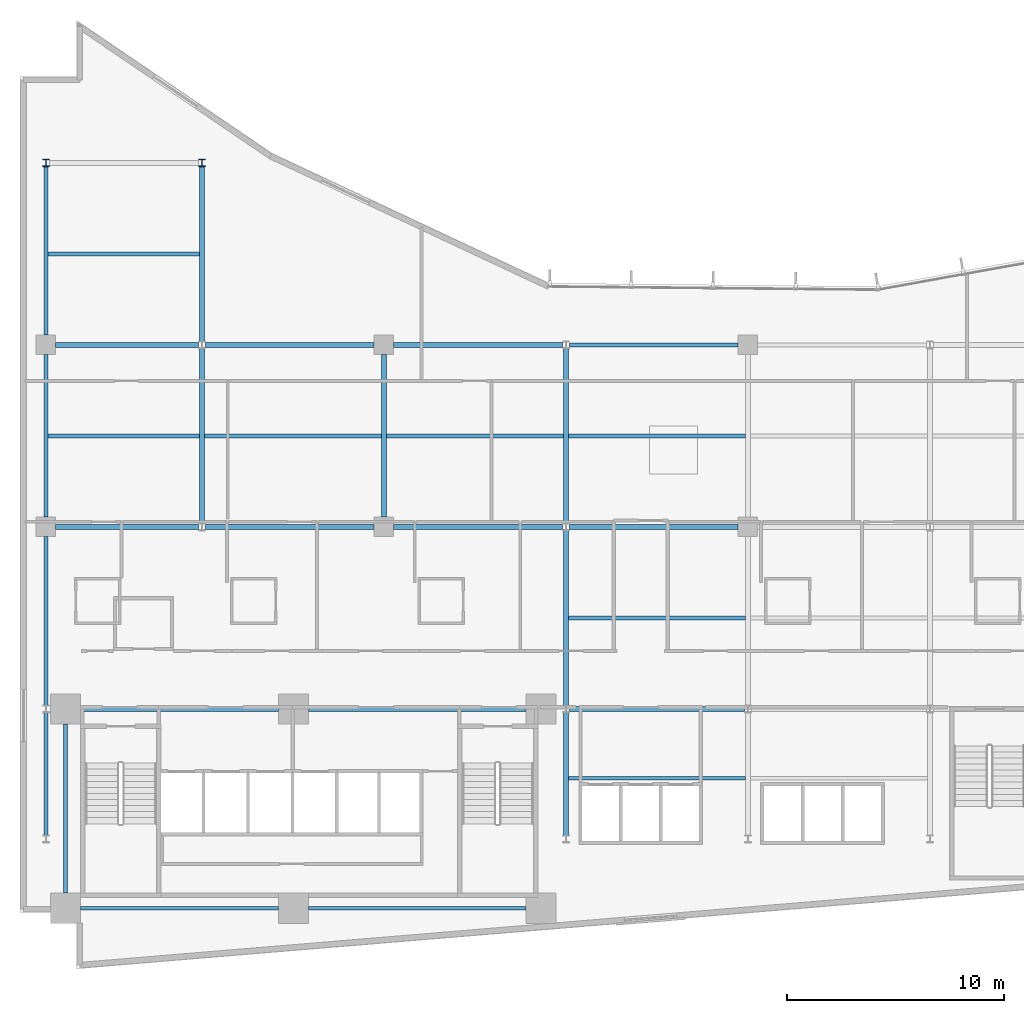
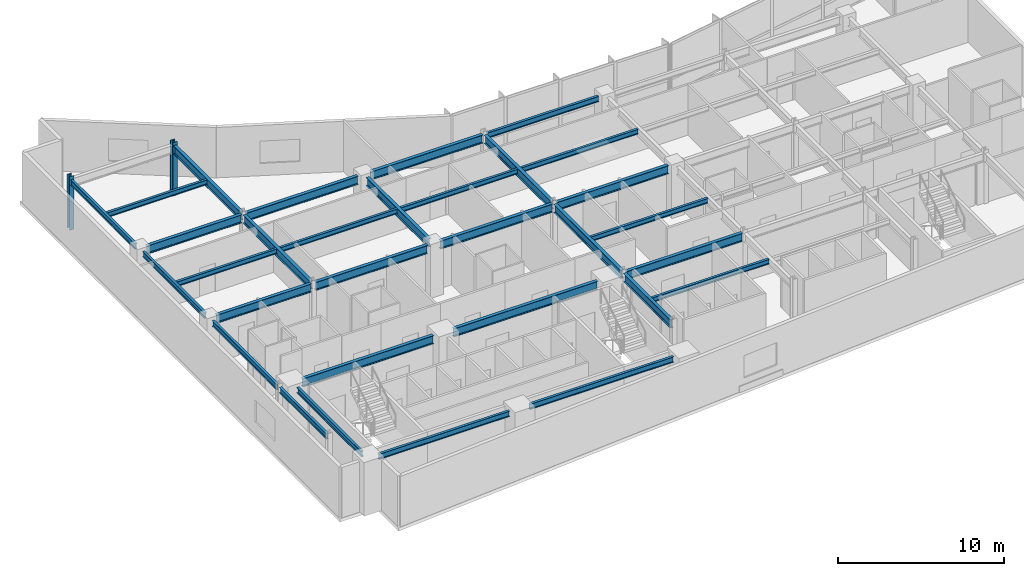
# One storey, part 3 of 19: 31 beams, 2 columns.
"""IFC4 building model written with IfcOpenShell, lengths in metres."""

from ifc_helpers import new_model, si_unit, direction, frame, origin, origin_2d, place, context, subcontext, project, spatial, i_section, extrude, material, material_profile, profile_set, type_object, element, save


model = new_model("IFC4")

# Units and contexts
model_context = context("Model", 3, precision=1e-05, world=origin(), true_north=direction((0.0, 1.0)))
body_context = subcontext(model_context, "Body", "Model", "MODEL_VIEW")
ifc_project = project(units=[si_unit("LENGTHUNIT", "METRE"), si_unit("AREAUNIT", "SQUARE_METRE"), si_unit("VOLUMEUNIT", "CUBIC_METRE"), si_unit("PLANEANGLEUNIT", "RADIAN"), si_unit("MASSUNIT", "GRAM", prefix="KILO")], contexts=[model_context])

# Site, building, storey
site_placement = place(None, origin())
site = spatial("IfcSite", under=ifc_project, at=site_placement, CompositionType="ELEMENT")
building_placement = place(site_placement, origin())
building = spatial("IfcBuilding", under=site, at=building_placement, Name="Varnakote Quay Hospital", CompositionType="ELEMENT")
storey_placement = place(building_placement, frame((0.0, 0.0, 89.64990234375)))
storey = spatial("IfcBuildingStorey", under=building, at=storey_placement, Name="L22", CompositionType="ELEMENT", Elevation=89.64990234375)

# Columns
ifc_material_1 = material(Name="Structural steel AS/NZS 3679.1 Grade 350 L0 (fy 340 MPa)", Category="steel")
ifc_material_profile_1 = material_profile(ifc_material_1, i_section(OverallWidth=0.31103515625, OverallDepth=0.326904296875, WebThickness=0.015625, FlangeThickness=0.02490234375, FilletRadius=0.0166015625, at=origin_2d()), Name="310UC158")
ifc_profile_set_1 = profile_set([ifc_material_profile_1], Name="Structural steel AS/NZS 3679.1 Grade 350 L0 (fy 340 MPa)")
column_type = type_object("IfcColumnType", Name="COL-STL-310UC158", PredefinedType="COLUMN", material=ifc_profile_set_1)
for number, where, z_axis, x_axis, name in (
    (1, (1.199951171875, 37.199951171875, 0.0), (0.0, 0.0, 1.0), (1.0, 0.0, 0.0), "L22 Structural Column C-1-37"),
    (2, (8.39990234375, 37.199951171875, 0.0), (0.0, 0.0, 1.0), (1.0, 0.0, 0.0), "L22 Structural Column C-8-37"),
):
    element("IfcColumn", number, at=place(storey_placement, frame(where, z_axis=z_axis, x_axis=x_axis)), inside=storey, type_object=column_type, Name=name, PredefinedType="COLUMN", context=body_context, shape_type="SweptSolid", body=[
        extrude(i_section(OverallWidth=0.31103515625, OverallDepth=0.326904296875, WebThickness=0.015625, FlangeThickness=0.02490234375, FilletRadius=0.0166015625, at=origin_2d()), origin(), (0.0, 0.0, 1.0), 3.9501953125),
    ])

# Beams
ifc_material_2 = material(Name="Structural steel AS/NZS 3679.1 Grade 350 L0 (fy 340 MPa)", Category="steel")
ifc_material_profile_2 = material_profile(ifc_material_2, i_section(OverallWidth=0.22900390625, OverallDepth=0.612060546875, WebThickness=0.011962890625, FlangeThickness=0.01953125, FilletRadius=0.013916015625, at=origin_2d()), Name="610UB125")
ifc_profile_set_2 = profile_set([ifc_material_profile_2], Name="Structural steel AS/NZS 3679.1 Grade 350 L0 (fy 340 MPa)")
beam_type_1 = type_object("IfcBeamType", Name="BM-STL-610UB125", PredefinedType="BEAM", material=ifc_profile_set_2)
beam_1_placement = place(storey_placement, frame((2.800048828125, 12.0, 3.404052734375), z_axis=(1.0, 0.0, 0.0), x_axis=(0.0, 1.0, 0.0)))
element("IfcBeam", 3, at=beam_1_placement, inside=storey, type_object=beam_type_1, Name="L22 Primary Floor Beam", PredefinedType="BEAM", context=body_context, shape_type="SweptSolid", body=[
    extrude(i_section(OverallWidth=0.22900390625, OverallDepth=0.612060546875, WebThickness=0.011962890625, FlangeThickness=0.01953125, FilletRadius=0.013916015625, at=origin_2d()), origin(), (0.0, 0.0, 1.0), 9.119873046875),
])
beam_2_placement = place(storey_placement, frame((13.320068359375, 12.0, 3.404052734375), z_axis=(1.0, 0.0, 0.0), x_axis=(0.0, 1.0, 0.0)))
element("IfcBeam", 4, at=beam_2_placement, inside=storey, type_object=beam_type_1, Name="L22 Primary Floor Beam", PredefinedType="BEAM", context=body_context, shape_type="SweptSolid", body=[
    extrude(i_section(OverallWidth=0.22900390625, OverallDepth=0.612060546875, WebThickness=0.011962890625, FlangeThickness=0.01953125, FilletRadius=0.013916015625, at=origin_2d()), origin(), (0.0, 0.0, 1.0), 10.030029296875),
])
beam_3_placement = place(storey_placement, frame((25.35546875, 12.0, 3.404052734375), z_axis=(1.0, 0.0, 0.0), x_axis=(0.0, 1.0, 0.0)))
element("IfcBeam", 5, at=beam_3_placement, inside=storey, type_object=beam_type_1, Name="L22 Primary Floor Beam", PredefinedType="BEAM", context=body_context, shape_type="SweptSolid", body=[
    extrude(i_section(OverallWidth=0.22900390625, OverallDepth=0.612060546875, WebThickness=0.011962890625, FlangeThickness=0.01953125, FilletRadius=0.013916015625, at=origin_2d()), origin(), (0.0, 0.0, 1.0), 8.089111328125),
])
beam_4_placement = place(storey_placement, frame((1.64990234375, 20.39990234375, 3.404052734375), z_axis=(1.0, 0.0, 0.0), x_axis=(0.0, 1.0, 0.0)))
element("IfcBeam", 6, at=beam_4_placement, inside=storey, type_object=beam_type_1, Name="L22 Primary Floor Beam", PredefinedType="BEAM", context=body_context, shape_type="SweptSolid", body=[
    extrude(i_section(OverallWidth=0.22900390625, OverallDepth=0.612060546875, WebThickness=0.011962890625, FlangeThickness=0.01953125, FilletRadius=0.013916015625, at=origin_2d()), origin(), (0.0, 0.0, 1.0), 6.594482421875),
])
beam_5_placement = place(storey_placement, frame((8.555419921875, 20.39990234375, 3.404052734375), z_axis=(1.0, 0.0, 0.0), x_axis=(0.0, 1.0, 0.0)))
element("IfcBeam", 7, at=beam_5_placement, inside=storey, type_object=beam_type_1, Name="L22 Primary Floor Beam", PredefinedType="BEAM", context=body_context, shape_type="SweptSolid", body=[
    extrude(i_section(OverallWidth=0.22900390625, OverallDepth=0.612060546875, WebThickness=0.011962890625, FlangeThickness=0.01953125, FilletRadius=0.013916015625, at=origin_2d()), origin(), (0.0, 0.0, 1.0), 7.794677734375),
])
for number, where, z_axis, x_axis, name in (
    (8, (17.25, 20.39990234375, 3.404052734375), (1.0, 0.0, 0.0), (0.0, 1.0, 0.0), "L22 Primary Floor Beam"),
    (9, (25.35546875, 20.39990234375, 3.404052734375), (1.0, 0.0, 0.0), (0.0, 1.0, 0.0), "L22 Primary Floor Beam"),
):
    element("IfcBeam", number, at=place(storey_placement, frame(where, z_axis=z_axis, x_axis=x_axis)), inside=storey, type_object=beam_type_1, Name=name, PredefinedType="BEAM", context=body_context, shape_type="SweptSolid", body=[
        extrude(i_section(OverallWidth=0.22900390625, OverallDepth=0.612060546875, WebThickness=0.011962890625, FlangeThickness=0.01953125, FilletRadius=0.013916015625, at=origin_2d()), origin(), (0.0, 0.0, 1.0), 7.79443359375),
    ])
beam_6_placement = place(storey_placement, frame((1.64990234375, 28.800048828125, 3.404052734375), z_axis=(1.0, 0.0, 0.0), x_axis=(0.0, 1.0, 0.0)))
element("IfcBeam", 10, at=beam_6_placement, inside=storey, type_object=beam_type_1, Name="L22 Primary Floor Beam", PredefinedType="BEAM", context=body_context, shape_type="SweptSolid", body=[
    extrude(i_section(OverallWidth=0.22900390625, OverallDepth=0.612060546875, WebThickness=0.011962890625, FlangeThickness=0.01953125, FilletRadius=0.013916015625, at=origin_2d()), origin(), (0.0, 0.0, 1.0), 6.594482421875),
])
beam_7_placement = place(storey_placement, frame((8.555419921875, 28.800048828125, 3.404052734375), z_axis=(1.0, 0.0, 0.0), x_axis=(0.0, 1.0, 0.0)))
element("IfcBeam", 11, at=beam_7_placement, inside=storey, type_object=beam_type_1, Name="L22 Primary Floor Beam", PredefinedType="BEAM", context=body_context, shape_type="SweptSolid", body=[
    extrude(i_section(OverallWidth=0.22900390625, OverallDepth=0.612060546875, WebThickness=0.011962890625, FlangeThickness=0.01953125, FilletRadius=0.013916015625, at=origin_2d()), origin(), (0.0, 0.0, 1.0), 7.794677734375),
])
beam_8_placement = place(storey_placement, frame((17.25, 28.800048828125, 3.404052734375), z_axis=(1.0, 0.0, 0.0), x_axis=(0.0, 1.0, 0.0)))
element("IfcBeam", 12, at=beam_8_placement, inside=storey, type_object=beam_type_1, Name="L22 Primary Floor Beam", PredefinedType="BEAM", context=body_context, shape_type="SweptSolid", body=[
    extrude(i_section(OverallWidth=0.22900390625, OverallDepth=0.612060546875, WebThickness=0.011962890625, FlangeThickness=0.01953125, FilletRadius=0.013916015625, at=origin_2d()), origin(), (0.0, 0.0, 1.0), 7.79443359375),
])
beam_9_placement = place(storey_placement, frame((8.39990234375, 20.5634765625, 3.404052734375), z_axis=(0.0, 1.0, 0.0), x_axis=(-1.0, 0.0, 0.0)))
element("IfcBeam", 13, at=beam_9_placement, inside=storey, type_object=beam_type_1, Name="L22 Primary Tie Beam", PredefinedType="BEAM", context=body_context, shape_type="SweptSolid", body=[
    extrude(i_section(OverallWidth=0.22900390625, OverallDepth=0.612060546875, WebThickness=0.011962890625, FlangeThickness=0.01953125, FilletRadius=0.013916015625, at=origin_2d()), origin(), (0.0, 0.0, 1.0), 8.072998046875),
])
beam_10_placement = place(storey_placement, frame((8.39990234375, 28.96337890625, 3.404052734375), z_axis=(0.0, 1.0, 0.0), x_axis=(-1.0, 0.0, 0.0)))
element("IfcBeam", 14, at=beam_10_placement, inside=storey, type_object=beam_type_1, Name="L22 Primary Tie Beam", PredefinedType="BEAM", context=body_context, shape_type="SweptSolid", body=[
    extrude(i_section(OverallWidth=0.22900390625, OverallDepth=0.612060546875, WebThickness=0.011962890625, FlangeThickness=0.01953125, FilletRadius=0.013916015625, at=origin_2d()), origin(), (0.0, 0.0, 1.0), 8.0732421875),
])
beam_11_placement = place(storey_placement, frame((16.800048828125, 20.85009765625, 3.404052734375), z_axis=(0.0, 1.0, 0.0), x_axis=(-1.0, 0.0, 0.0)))
element("IfcBeam", 15, at=beam_11_placement, inside=storey, type_object=beam_type_1, Name="L22 Primary Tie Beam", PredefinedType="BEAM", context=body_context, shape_type="SweptSolid", body=[
    extrude(i_section(OverallWidth=0.22900390625, OverallDepth=0.612060546875, WebThickness=0.011962890625, FlangeThickness=0.01953125, FilletRadius=0.013916015625, at=origin_2d()), origin(), (0.0, 0.0, 1.0), 7.5),
])
beam_12_placement = place(storey_placement, frame((25.199951171875, 6.16357421875, 3.404052734375), z_axis=(0.0, 1.0, 0.0), x_axis=(-1.0, 0.0, 0.0)))
element("IfcBeam", 16, at=beam_12_placement, inside=storey, type_object=beam_type_1, Name="L22 Primary Tie Beam", PredefinedType="BEAM", context=body_context, shape_type="SweptSolid", body=[
    extrude(i_section(OverallWidth=0.22900390625, OverallDepth=0.612060546875, WebThickness=0.011962890625, FlangeThickness=0.01953125, FilletRadius=0.013916015625, at=origin_2d()), origin(), (0.0, 0.0, 1.0), 5.6728515625),
])
for number, where, z_axis, x_axis, name in (
    (17, (25.199951171875, 12.16357421875, 3.404052734375), (0.0, 1.0, 0.0), (-1.0, 0.0, 0.0), "L22 Primary Tie Beam"),
    (18, (25.199951171875, 20.5634765625, 3.404052734375), (0.0, 1.0, 0.0), (-1.0, 0.0, 0.0), "L22 Primary Tie Beam"),
):
    element("IfcBeam", number, at=place(storey_placement, frame(where, z_axis=z_axis, x_axis=x_axis)), inside=storey, type_object=beam_type_1, Name=name, PredefinedType="BEAM", context=body_context, shape_type="SweptSolid", body=[
        extrude(i_section(OverallWidth=0.22900390625, OverallDepth=0.612060546875, WebThickness=0.011962890625, FlangeThickness=0.01953125, FilletRadius=0.013916015625, at=origin_2d()), origin(), (0.0, 0.0, 1.0), 8.072998046875),
    ])
ifc_material_3 = material(Name="Structural steel AS/NZS 3679.1 Grade 350 L0 (fy 340 MPa)", Category="steel")
ifc_material_profile_3 = material_profile(ifc_material_3, i_section(OverallWidth=0.1708984375, OverallDepth=0.35595703125, WebThickness=0.00732421875, FlangeThickness=0.011474609375, FilletRadius=0.011474609375, at=origin_2d()), Name="360UB50.7")
ifc_profile_set_3 = profile_set([ifc_material_profile_3], Name="Structural steel AS/NZS 3679.1 Grade 350 L0 (fy 340 MPa)")
beam_type_2 = type_object("IfcBeamType", Name="JST-STL-360UB50-7", PredefinedType="JOIST", material=ifc_profile_set_3)
for number, where, z_axis, x_axis, name in (
    (19, (25.314453125, 8.800048828125, 3.531982421875), (1.0, 0.0, 0.0), (0.0, 1.0, 0.0), "L22 Composite Floor Joist"),
    (20, (25.314453125, 16.199951171875, 3.531982421875), (1.0, 0.0, 0.0), (0.0, 1.0, 0.0), "L22 Composite Floor Joist"),
):
    element("IfcBeam", number, at=place(storey_placement, frame(where, z_axis=z_axis, x_axis=x_axis)), inside=storey, type_object=beam_type_2, Name=name, PredefinedType="JOIST", context=body_context, shape_type="SweptSolid", body=[
        extrude(i_section(OverallWidth=0.1708984375, OverallDepth=0.35595703125, WebThickness=0.00732421875, FlangeThickness=0.011474609375, FilletRadius=0.011474609375, at=origin_2d()), origin(), (0.0, 0.0, 1.0), 8.171142578125),
    ])
beam_13_placement = place(storey_placement, frame((1.2890625, 24.60009765625, 3.531982421875), z_axis=(1.0, 0.0, 0.0), x_axis=(0.0, 1.0, 0.0)))
element("IfcBeam", 21, at=beam_13_placement, inside=storey, type_object=beam_type_2, Name="L22 Composite Floor Joist", PredefinedType="JOIST", context=body_context, shape_type="SweptSolid", body=[
    extrude(i_section(OverallWidth=0.1708984375, OverallDepth=0.35595703125, WebThickness=0.00732421875, FlangeThickness=0.011474609375, FilletRadius=0.011474609375, at=origin_2d()), origin(), (0.0, 0.0, 1.0), 6.996337890625),
])
beam_14_placement = place(storey_placement, frame((8.514404296875, 24.60009765625, 3.531982421875), z_axis=(1.0, 0.0, 0.0), x_axis=(0.0, 1.0, 0.0)))
element("IfcBeam", 22, at=beam_14_placement, inside=storey, type_object=beam_type_2, Name="L22 Composite Floor Joist", PredefinedType="JOIST", context=body_context, shape_type="SweptSolid", body=[
    extrude(i_section(OverallWidth=0.1708984375, OverallDepth=0.35595703125, WebThickness=0.00732421875, FlangeThickness=0.011474609375, FilletRadius=0.011474609375, at=origin_2d()), origin(), (0.0, 0.0, 1.0), 8.171142578125),
])
beam_15_placement = place(storey_placement, frame((16.91455078125, 24.60009765625, 3.531982421875), z_axis=(1.0, 0.0, 0.0), x_axis=(0.0, 1.0, 0.0)))
element("IfcBeam", 23, at=beam_15_placement, inside=storey, type_object=beam_type_2, Name="L22 Composite Floor Joist", PredefinedType="JOIST", context=body_context, shape_type="SweptSolid", body=[
    extrude(i_section(OverallWidth=0.1708984375, OverallDepth=0.35595703125, WebThickness=0.00732421875, FlangeThickness=0.011474609375, FilletRadius=0.011474609375, at=origin_2d()), origin(), (0.0, 0.0, 1.0), 8.1708984375),
])
beam_16_placement = place(storey_placement, frame((25.314453125, 24.60009765625, 3.531982421875), z_axis=(1.0, 0.0, 0.0), x_axis=(0.0, 1.0, 0.0)))
element("IfcBeam", 24, at=beam_16_placement, inside=storey, type_object=beam_type_2, Name="L22 Composite Floor Joist", PredefinedType="JOIST", context=body_context, shape_type="SweptSolid", body=[
    extrude(i_section(OverallWidth=0.1708984375, OverallDepth=0.35595703125, WebThickness=0.00732421875, FlangeThickness=0.011474609375, FilletRadius=0.011474609375, at=origin_2d()), origin(), (0.0, 0.0, 1.0), 8.171142578125),
])
beam_17_placement = place(storey_placement, frame((1.2890625, 33.0, 3.531982421875), z_axis=(1.0, 0.0, 0.0), x_axis=(0.0, 1.0, 0.0)))
element("IfcBeam", 25, at=beam_17_placement, inside=storey, type_object=beam_type_2, Name="L22 Composite Floor Joist", PredefinedType="JOIST", context=body_context, shape_type="SweptSolid", body=[
    extrude(i_section(OverallWidth=0.1708984375, OverallDepth=0.35595703125, WebThickness=0.00732421875, FlangeThickness=0.011474609375, FilletRadius=0.011474609375, at=origin_2d()), origin(), (0.0, 0.0, 1.0), 6.996337890625),
])
ifc_material_4 = material(Name="Structural steel AS/NZS 3679.1 Grade 350 L0 (fy 340 MPa)", Category="steel")
ifc_material_profile_4 = material_profile(ifc_material_4, i_section(OverallWidth=0.177978515625, OverallDepth=0.403076171875, WebThickness=0.007568359375, FlangeThickness=0.010986328125, FilletRadius=0.011474609375, at=origin_2d()), Name="410UB53.7")
ifc_profile_set_4 = profile_set([ifc_material_profile_4], Name="Structural steel AS/NZS 3679.1 Grade 350 L0 (fy 340 MPa)")
beam_type_3 = type_object("IfcBeamType", Name="SPN-STL-410UB53-7", PredefinedType="SPANDREL", material=ifc_profile_set_4)
beam_18_placement = place(storey_placement, frame((1.199951171875, 6.16357421875, 3.508544921875), z_axis=(0.0, 1.0, 0.0), x_axis=(-1.0, 0.0, 0.0)))
element("IfcBeam", 26, at=beam_18_placement, inside=storey, type_object=beam_type_3, Name="L22 Perimeter Spandrel Beam", PredefinedType="SPANDREL", context=body_context, shape_type="SweptSolid", body=[
    extrude(i_section(OverallWidth=0.177978515625, OverallDepth=0.403076171875, WebThickness=0.007568359375, FlangeThickness=0.010986328125, FilletRadius=0.011474609375, at=origin_2d()), origin(), (0.0, 0.0, 1.0), 5.6728515625),
])
beam_19_placement = place(storey_placement, frame((1.199951171875, 12.16357421875, 3.508544921875), z_axis=(0.0, 1.0, 0.0), x_axis=(-1.0, 0.0, 0.0)))
element("IfcBeam", 27, at=beam_19_placement, inside=storey, type_object=beam_type_3, Name="L22 Perimeter Spandrel Beam", PredefinedType="SPANDREL", context=body_context, shape_type="SweptSolid", body=[
    extrude(i_section(OverallWidth=0.177978515625, OverallDepth=0.403076171875, WebThickness=0.007568359375, FlangeThickness=0.010986328125, FilletRadius=0.011474609375, at=origin_2d()), origin(), (0.0, 0.0, 1.0), 7.786376953125),
])
beam_20_placement = place(storey_placement, frame((1.199951171875, 20.85009765625, 3.508544921875), z_axis=(0.0, 1.0, 0.0), x_axis=(-1.0, 0.0, 0.0)))
element("IfcBeam", 28, at=beam_20_placement, inside=storey, type_object=beam_type_3, Name="L22 Perimeter Spandrel Beam", PredefinedType="SPANDREL", context=body_context, shape_type="SweptSolid", body=[
    extrude(i_section(OverallWidth=0.177978515625, OverallDepth=0.403076171875, WebThickness=0.007568359375, FlangeThickness=0.010986328125, FilletRadius=0.011474609375, at=origin_2d()), origin(), (0.0, 0.0, 1.0), 7.5),
])
beam_21_placement = place(storey_placement, frame((1.199951171875, 29.25, 3.508544921875), z_axis=(0.0, 1.0, 0.0), x_axis=(-1.0, 0.0, 0.0)))
element("IfcBeam", 29, at=beam_21_placement, inside=storey, type_object=beam_type_3, Name="L22 Perimeter Spandrel Beam", PredefinedType="SPANDREL", context=body_context, shape_type="SweptSolid", body=[
    extrude(i_section(OverallWidth=0.177978515625, OverallDepth=0.403076171875, WebThickness=0.007568359375, FlangeThickness=0.010986328125, FilletRadius=0.011474609375, at=origin_2d()), origin(), (0.0, 0.0, 1.0), 7.78662109375),
])
beam_22_placement = place(storey_placement, frame((2.10009765625, 3.5, 3.508544921875), z_axis=(0.0, 1.0, 0.0), x_axis=(-1.0, 0.0, 0.0)))
element("IfcBeam", 30, at=beam_22_placement, inside=storey, type_object=beam_type_3, Name="L22 Perimeter Spandrel Beam", PredefinedType="SPANDREL", context=body_context, shape_type="SweptSolid", body=[
    extrude(i_section(OverallWidth=0.177978515625, OverallDepth=0.403076171875, WebThickness=0.007568359375, FlangeThickness=0.010986328125, FilletRadius=0.011474609375, at=origin_2d()), origin(), (0.0, 0.0, 1.0), 7.800048828125),
])
ifc_material_5 = material(Name="Structural steel AS/NZS 3679.1 Grade 350 L0 (fy 340 MPa)", Category="steel")
ifc_material_profile_5 = material_profile(ifc_material_5, i_section(OverallWidth=0.177978515625, OverallDepth=0.406005859375, WebThickness=0.0078125, FlangeThickness=0.0126953125, FilletRadius=0.011474609375, at=origin_2d()), Name="410UB59.7")
ifc_profile_set_5 = profile_set([ifc_material_profile_5], Name="Structural steel AS/NZS 3679.1 Grade 350 L0 (fy 340 MPa)")
beam_type_4 = type_object("IfcBeamType", Name="SPN-STL-410UB59-7", PredefinedType="SPANDREL", material=ifc_profile_set_5)
beam_23_placement = place(storey_placement, frame((2.800048828125, 2.800048828125, 3.507080078125), z_axis=(1.0, 0.0, 0.0), x_axis=(0.0, 1.0, 0.0)))
element("IfcBeam", 31, at=beam_23_placement, inside=storey, type_object=beam_type_4, Name="L22 Perimeter Spandrel Beam", PredefinedType="SPANDREL", context=body_context, shape_type="SweptSolid", body=[
    extrude(i_section(OverallWidth=0.177978515625, OverallDepth=0.406005859375, WebThickness=0.0078125, FlangeThickness=0.0126953125, FilletRadius=0.011474609375, at=origin_2d()), origin(), (0.0, 0.0, 1.0), 9.119873046875),
])
beam_24_placement = place(storey_placement, frame((13.320068359375, 2.800048828125, 3.507080078125), z_axis=(1.0, 0.0, 0.0), x_axis=(0.0, 1.0, 0.0)))
element("IfcBeam", 32, at=beam_24_placement, inside=storey, type_object=beam_type_4, Name="L22 Perimeter Spandrel Beam", PredefinedType="SPANDREL", context=body_context, shape_type="SweptSolid", body=[
    extrude(i_section(OverallWidth=0.177978515625, OverallDepth=0.406005859375, WebThickness=0.0078125, FlangeThickness=0.0126953125, FilletRadius=0.011474609375, at=origin_2d()), origin(), (0.0, 0.0, 1.0), 10.030029296875),
])
beam_25_placement = place(storey_placement, frame((25.35546875, 28.800048828125, 3.507080078125), z_axis=(1.0, 0.0, 0.0), x_axis=(0.0, 1.0, 0.0)))
element("IfcBeam", 33, at=beam_25_placement, inside=storey, type_object=beam_type_4, Name="L22 Perimeter Spandrel Beam", PredefinedType="SPANDREL", context=body_context, shape_type="SweptSolid", body=[
    extrude(i_section(OverallWidth=0.177978515625, OverallDepth=0.406005859375, WebThickness=0.0078125, FlangeThickness=0.0126953125, FilletRadius=0.011474609375, at=origin_2d()), origin(), (0.0, 0.0, 1.0), 7.79443359375),
])

save(model, "model.ifc")
